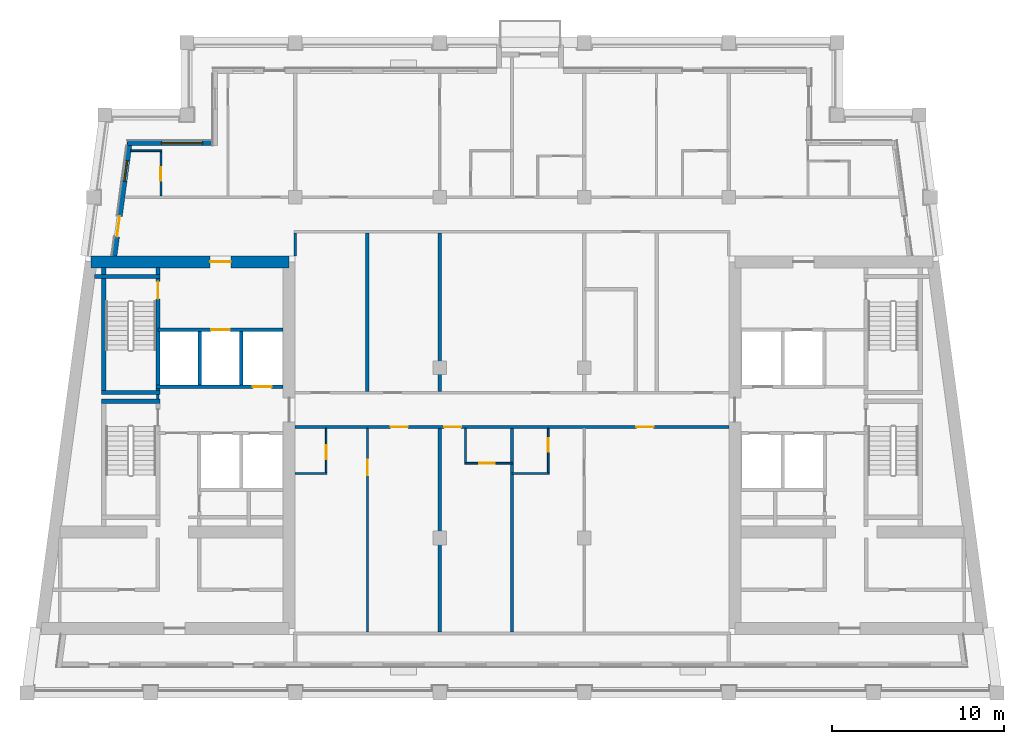
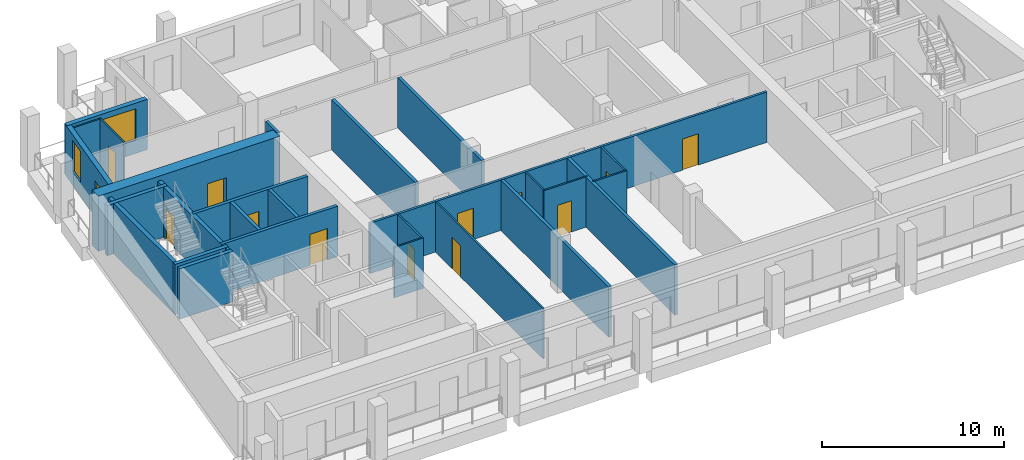
# One storey, part 3 of 13: 28 walls, 13 doors, 2 windows, 15 openings.
"""IFC4 building model written with IfcOpenShell, lengths in metres."""

from ifc_helpers import new_model, si_unit, direction, frame, frame_2d, origin, place, context, subcontext, project, spatial, rectangle, extrude, material, layer, layer_set, type_object, element, fill, save


model = new_model("IFC4")

# Units and contexts
model_context = context("Model", 3, precision=1e-05, world=origin(), true_north=direction((0.0, 1.0)))
body_context = subcontext(model_context, "Body", "Model", "MODEL_VIEW")
ifc_project = project(units=[si_unit("LENGTHUNIT", "METRE"), si_unit("AREAUNIT", "SQUARE_METRE"), si_unit("VOLUMEUNIT", "CUBIC_METRE"), si_unit("PLANEANGLEUNIT", "RADIAN"), si_unit("MASSUNIT", "GRAM", prefix="KILO")], contexts=[model_context])

# Site, building, storey
site_placement = place(None, origin())
site = spatial("IfcSite", under=ifc_project, at=site_placement, CompositionType="ELEMENT")
building_placement = place(site_placement, origin())
building = spatial("IfcBuilding", under=site, at=building_placement, Name="Candeia Pilgrim Tower and Theatre", CompositionType="ELEMENT")
storey_placement = place(building_placement, frame((0.0, 0.0, 262.699951171875)))
storey = spatial("IfcBuildingStorey", under=building, at=storey_placement, Name="L63", CompositionType="ELEMENT", Elevation=262.699951171875)

# Wall, opening, door
ifc_material_1 = material(Name="Concrete C40/50", Category="concrete")
ifc_layer_1 = layer(ifc_material_1, 0.699951171875)
ifc_layer_set_1 = layer_set([ifc_layer_1], Name="Core wall 700 C40/50")
wall_type_1 = type_object("IfcWallType", Name="Core wall 700 C40/50", PredefinedType="SHEAR", material=ifc_layer_set_1)
wall_1_placement = place(storey_placement, frame((88.936767578125, 132.050048828125, 0.0), z_axis=(0.0, 0.0, 1.0), x_axis=(1.0, 0.0, 0.0)))
wall_1 = element("IfcWall", 1, at=wall_1_placement, inside=storey, type_object=wall_type_1, Name="Core wall W1", PredefinedType="SHEAR", context=body_context, shape_type="SweptSolid", body=[
    extrude(rectangle(XDim=11.51318359375, YDim=0.699951171875, at=frame_2d((5.756591796875, 0.0))), origin(), (0.0, 0.0, 1.0), 3.699951171875),
])
opening_1_placement = place(wall_1_placement, frame((6.9267578125, 0.0, 0.0)))
opening_1 = element("IfcOpeningElement", 2, at=opening_1_placement, cuts=wall_1, Name="Opening L63-D043", PredefinedType="OPENING", context=body_context, shape_type="SweptSolid", body=[
    extrude(rectangle(XDim=1.199951171875, YDim=2.10009765625, at=frame_2d((0.60009765625, 1.050048828125))), frame((0.0, 0.35986328125, 0.0), z_axis=(0.0, -1.0, 0.0), x_axis=(1.0, 0.0, 0.0)), (0.0, 0.0, 1.0), 0.719970703125),
])
ifc_material_2 = material(Name="Steel fire door set", Category="steel")
door_type_1 = type_object("IfcDoorType", Name="D-1200-FD60", OperationType="NOTDEFINED", PredefinedType="DOOR", material=ifc_material_2)
door_1_placement = place(opening_1_placement, origin())
door_1 = element("IfcDoor", 3, at=door_1_placement, inside=storey, type_object=door_type_1, Name="Door L63-D043", OperationType="SINGLE_SWING_RIGHT", OverallHeight=2.10009765625, OverallWidth=1.199951171875, PredefinedType="DOOR", context=body_context, shape_type="SweptSolid", body=[
    extrude(rectangle(XDim=1.199951171875, YDim=2.10009765625, at=frame_2d((0.60009765625, 1.050048828125))), frame((0.0, 0.02490234375, 0.0), z_axis=(0.0, -1.0, 0.0), x_axis=(1.0, 0.0, 0.0)), (0.0, 0.0, 1.0), 0.050048828125),
])
fill(opening_1, door_1)

# Wall, openings, door, window
ifc_material_3 = material(Name="Ceramic block masonry", Category="masonry")
ifc_layer_2 = layer(ifc_material_3, 0.300048828125)
ifc_layer_set_2 = layer_set([ifc_layer_2], Name="EW1 glazing-line wall 300")
wall_type_2 = type_object("IfcWallType", Name="EW1 glazing-line wall 300", PredefinedType="SOLIDWALL", material=ifc_layer_set_2)
wall_2_placement = place(storey_placement, frame((91.177490234375, 138.949951171875, 0.0), z_axis=(0.0, 0.0, 1.0), x_axis=(-0.133426664613, -0.991058689065, 0.0)))
wall_2 = element("IfcWall", 4, at=wall_2_placement, inside=storey, type_object=wall_type_2, Name="External wall L63-0.0", PredefinedType="SOLIDWALL", context=body_context, shape_type="SweptSolid", body=[
    extrude(rectangle(XDim=6.609130859375, YDim=0.300048828125, at=frame_2d((3.3046875, 0.0))), origin(), (0.0, 0.0, 1.0), 3.380126953125),
])
opening_2_placement = place(wall_2_placement, frame((1.039306640625, 0.0, 0.89990234375)))
opening_2 = element("IfcOpeningElement", 5, at=opening_2_placement, cuts=wall_2, Name="Opening W-B", PredefinedType="OPENING", context=body_context, shape_type="SweptSolid", body=[
    extrude(rectangle(XDim=1.199951171875, YDim=2.10009765625, at=frame_2d((0.60009765625, 1.050048828125))), frame((0.0, 0.16015625, 0.0), z_axis=(0.0, -1.0, 0.0), x_axis=(1.0, 0.0, 0.0)), (0.0, 0.0, 1.0), 0.320068359375),
])
opening_3_placement = place(wall_2_placement, frame((4.293701171875, 0.0, 0.0)))
opening_3 = element("IfcOpeningElement", 6, at=opening_3_placement, cuts=wall_2, Name="Opening L63-ED596", PredefinedType="OPENING", context=body_context, shape_type="SweptSolid", body=[
    extrude(rectangle(XDim=1.199951171875, YDim=2.39990234375, at=frame_2d((0.60009765625, 1.199951171875))), frame((0.0, 0.16015625, 0.0), z_axis=(0.0, -1.0, 0.0), x_axis=(1.0, 0.0, 0.0)), (0.0, 0.0, 1.0), 0.320068359375),
])
ifc_material_4 = material(Name="Aluminium framed glazed door", Category="aluminium")
door_type_2 = type_object("IfcDoorType", Name="Loggia door 1200x2400", OperationType="DOUBLE_DOOR_SINGLE_SWING", PredefinedType="DOOR", material=ifc_material_4)
door_2_placement = place(opening_3_placement, origin())
door_2 = element("IfcDoor", 7, at=door_2_placement, inside=storey, type_object=door_type_2, Name="Loggia door L63-ED596", OperationType="DOUBLE_DOOR_SINGLE_SWING", OverallHeight=2.39990234375, OverallWidth=1.199951171875, PredefinedType="DOOR", context=body_context, shape_type="SweptSolid", body=[
    extrude(rectangle(XDim=1.199951171875, YDim=2.39990234375, at=frame_2d((0.60009765625, 1.199951171875))), frame((0.0, 0.02490234375, 0.0), z_axis=(0.0, -1.0, 0.0), x_axis=(1.0, 0.0, 0.0)), (0.0, 0.0, 1.0), 0.050048828125),
])
fill(opening_3, door_2)
ifc_material_5 = material(Name="Aluminium framed double glazing", Category="aluminium")
window_type_1 = type_object("IfcWindowType", Name="W-B window 1200x2100", PartitioningType="SINGLE_PANEL", PredefinedType="WINDOW", material=ifc_material_5)
window_1_placement = place(opening_2_placement, origin())
window_1 = element("IfcWindow", 8, at=window_1_placement, inside=storey, type_object=window_type_1, Name="Window W-B L63", OverallHeight=2.10009765625, OverallWidth=1.199951171875, PartitioningType="SINGLE_PANEL", PredefinedType="WINDOW", context=body_context, shape_type="SweptSolid", body=[
    extrude(rectangle(XDim=1.199951171875, YDim=2.10009765625, at=frame_2d((0.60009765625, 1.050048828125))), frame((0.0, 0.030029296875, 0.0), z_axis=(0.0, -1.0, 0.0), x_axis=(1.0, 0.0, 0.0)), (0.0, 0.0, 1.0), 0.06005859375),
])
fill(opening_2, window_1)

# Wall, opening, window
wall_3_placement = place(storey_placement, frame((96.14990234375, 138.949951171875, 0.0), z_axis=(0.0, 0.0, 1.0), x_axis=(-1.0, 0.0, 0.0)))
wall_3 = element("IfcWall", 9, at=wall_3_placement, inside=storey, type_object=wall_type_2, Name="External wall L63-7.0", PredefinedType="SOLIDWALL", context=body_context, shape_type="SweptSolid", body=[
    extrude(rectangle(XDim=5.103759765625, YDim=0.300048828125, at=frame_2d((2.5517578125, 0.0))), origin(), (0.0, 0.0, 1.0), 3.380126953125),
])
opening_4_placement = place(wall_3_placement, frame((0.72509765625, 0.0, 0.89990234375)))
opening_4 = element("IfcOpeningElement", 10, at=opening_4_placement, cuts=wall_3, Name="Opening W-A", PredefinedType="OPENING", context=body_context, shape_type="SweptSolid", body=[
    extrude(rectangle(XDim=2.39990234375, YDim=2.10009765625, at=frame_2d((1.199951171875, 1.050048828125))), frame((0.0, 0.16015625, 0.0), z_axis=(0.0, -1.0, 0.0), x_axis=(1.0, 0.0, 0.0)), (0.0, 0.0, 1.0), 0.320068359375),
])
window_type_2 = type_object("IfcWindowType", Name="W-A window 2400x2100", PartitioningType="DOUBLE_PANEL_VERTICAL", PredefinedType="WINDOW", material=ifc_material_5)
window_2_placement = place(opening_4_placement, origin())
window_2 = element("IfcWindow", 11, at=window_2_placement, inside=storey, type_object=window_type_2, Name="Window W-A L63", OverallHeight=2.10009765625, OverallWidth=2.39990234375, PartitioningType="SINGLE_PANEL", PredefinedType="WINDOW", context=body_context, shape_type="SweptSolid", body=[
    extrude(rectangle(XDim=2.39990234375, YDim=2.10009765625, at=frame_2d((1.199951171875, 1.050048828125))), frame((0.0, 0.030029296875, 0.0), z_axis=(0.0, -1.0, 0.0), x_axis=(1.0, 0.0, 0.0)), (0.0, 0.0, 1.0), 0.06005859375),
])
fill(opening_4, window_2)

# Walls
ifc_material_6 = material(Name="Gypsum board partition on steel studs", Category="steel")
ifc_layer_3 = layer(ifc_material_6, 0.10009765625)
ifc_layer_set_3 = layer_set([ifc_layer_3], Name="PW-100 room partition")
wall_type_3 = type_object("IfcWallType", Name="PW-100 room partition", PredefinedType="PARTITIONING", material=ifc_layer_set_3)
wall_4_placement = place(storey_placement, frame((100.800048828125, 119.75, 0.0), z_axis=(0.0, 0.0, 1.0), x_axis=(1.0, 0.0, 0.0)))
element("IfcWall", 12, at=wall_4_placement, inside=storey, type_object=wall_type_3, Name="Room partition L63-014", PredefinedType="PARTITIONING", context=body_context, shape_type="SweptSolid", body=[
    extrude(rectangle(XDim=1.849853515625, YDim=0.10009765625, at=frame_2d((0.9248046875, 0.0))), origin(), (0.0, 0.0, 1.0), 3.380126953125),
])
wall_5_placement = place(storey_placement, frame((113.39990234375, 119.75, 0.0), z_axis=(0.0, 0.0, 1.0), x_axis=(1.0, 0.0, 0.0)))
element("IfcWall", 13, at=wall_5_placement, inside=storey, type_object=wall_type_3, Name="Room partition L63-015", PredefinedType="PARTITIONING", context=body_context, shape_type="SweptSolid", body=[
    extrude(rectangle(XDim=2.150146484375, YDim=0.10009765625, at=frame_2d((1.0751953125, 0.0))), origin(), (0.0, 0.0, 1.0), 3.380126953125),
])

# Wall, opening, door
wall_6_placement = place(storey_placement, frame((110.64990234375, 120.35009765625, 0.0), z_axis=(0.0, 0.0, 1.0), x_axis=(1.0, 0.0, 0.0)))
wall_6 = element("IfcWall", 14, at=wall_6_placement, inside=storey, type_object=wall_type_3, Name="Room partition L63-016", PredefinedType="PARTITIONING", context=body_context, shape_type="SweptSolid", body=[
    extrude(rectangle(XDim=2.75, YDim=0.10009765625, at=frame_2d((1.375, 0.0))), origin(), (0.0, 0.0, 1.0), 3.380126953125),
])
opening_5_placement = place(wall_6_placement, frame((0.840087890625, 0.0, 0.0)))
opening_5 = element("IfcOpeningElement", 15, at=opening_5_placement, cuts=wall_6, Name="Opening L63-D017", PredefinedType="OPENING", context=body_context, shape_type="SweptSolid", body=[
    extrude(rectangle(XDim=0.89990234375, YDim=2.10009765625, at=frame_2d((0.449951171875, 1.050048828125))), frame((0.0, 0.06005859375, 0.0), z_axis=(0.0, -1.0, 0.0), x_axis=(1.0, 0.0, 0.0)), (0.0, 0.0, 1.0), 0.1201171875),
])
ifc_material_7 = material(Name="Timber door leaf", Category="wood")
door_type_3 = type_object("IfcDoorType", Name="D-900", OperationType="NOTDEFINED", PredefinedType="DOOR", material=ifc_material_7)
door_3_placement = place(opening_5_placement, origin())
door_3 = element("IfcDoor", 16, at=door_3_placement, inside=storey, type_object=door_type_3, Name="Door L63-D017", OperationType="SINGLE_SWING_RIGHT", OverallHeight=2.10009765625, OverallWidth=0.89990234375, PredefinedType="DOOR", context=body_context, shape_type="SweptSolid", body=[
    extrude(rectangle(XDim=0.89990234375, YDim=2.10009765625, at=frame_2d((0.449951171875, 1.050048828125))), frame((0.0, 0.02490234375, 0.0), z_axis=(0.0, -1.0, 0.0), x_axis=(1.0, 0.0, 0.0)), (0.0, 0.0, 1.0), 0.050048828125),
])
fill(opening_5, door_3)

# Wall
wall_7_placement = place(storey_placement, frame((91.258056640625, 138.5, 0.0), z_axis=(0.0, 0.0, 1.0), x_axis=(1.0, 0.0, 0.0)))
element("IfcWall", 17, at=wall_7_placement, inside=storey, type_object=wall_type_3, Name="Room partition L63-040", PredefinedType="PARTITIONING", context=body_context, shape_type="SweptSolid", body=[
    extrude(rectangle(XDim=1.7919921875, YDim=0.10009765625, at=frame_2d((0.89599609375, 0.0))), origin(), (0.0, 0.0, 1.0), 3.380126953125),
])

# Wall, opening, door
wall_8_placement = place(storey_placement, frame((93.0, 135.875, 0.0), z_axis=(0.0, 0.0, 1.0), x_axis=(0.0, 1.0, 0.0)))
wall_8 = element("IfcWall", 18, at=wall_8_placement, inside=storey, type_object=wall_type_3, Name="Room partition L63-051", PredefinedType="PARTITIONING", context=body_context, shape_type="SweptSolid", body=[
    extrude(rectangle(XDim=2.574951171875, YDim=0.10009765625, at=frame_2d((1.28759765625, 0.0))), origin(), (0.0, 0.0, 1.0), 3.380126953125),
])
opening_6_placement = place(wall_8_placement, frame((0.875, 0.0, 0.0)))
opening_6 = element("IfcOpeningElement", 19, at=opening_6_placement, cuts=wall_8, Name="Opening L63-D023", PredefinedType="OPENING", context=body_context, shape_type="SweptSolid", body=[
    extrude(rectangle(XDim=0.800048828125, YDim=2.10009765625, at=frame_2d((0.39990234375, 1.050048828125))), frame((0.0, 0.06005859375, 0.0), z_axis=(0.0, -1.0, 0.0), x_axis=(1.0, 0.0, 0.0)), (0.0, 0.0, 1.0), 0.1201171875),
])
door_type_4 = type_object("IfcDoorType", Name="D-800", OperationType="NOTDEFINED", PredefinedType="DOOR", material=ifc_material_7)
door_4_placement = place(opening_6_placement, origin())
door_4 = element("IfcDoor", 20, at=door_4_placement, inside=storey, type_object=door_type_4, Name="Door L63-D023", OperationType="SINGLE_SWING_RIGHT", OverallHeight=2.10009765625, OverallWidth=0.800048828125, PredefinedType="DOOR", context=body_context, shape_type="SweptSolid", body=[
    extrude(rectangle(XDim=0.800048828125, YDim=2.10009765625, at=frame_2d((0.39990234375, 1.050048828125))), frame((0.0, 0.02490234375, 0.0), z_axis=(0.0, -1.0, 0.0), x_axis=(1.0, 0.0, 0.0)), (0.0, 0.0, 1.0), 0.050048828125),
])
fill(opening_6, door_4)

wall_9_placement = place(storey_placement, frame((102.60009765625, 119.800048828125, 0.0), z_axis=(0.0, 0.0, 1.0), x_axis=(0.0, 1.0, 0.0)))
wall_9 = element("IfcWall", 21, at=wall_9_placement, inside=storey, type_object=wall_type_3, Name="Room partition L63-062", PredefinedType="PARTITIONING", context=body_context, shape_type="SweptSolid", body=[
    extrude(rectangle(XDim=2.574951171875, YDim=0.10009765625, at=frame_2d((1.28759765625, 0.0))), origin(), (0.0, 0.0, 1.0), 3.380126953125),
])
opening_7_placement = place(wall_9_placement, frame((0.780029296875, 0.0, 0.0)))
opening_7 = element("IfcOpeningElement", 22, at=opening_7_placement, cuts=wall_9, Name="Opening L63-D015", PredefinedType="OPENING", context=body_context, shape_type="SweptSolid", body=[
    extrude(rectangle(XDim=0.800048828125, YDim=2.10009765625, at=frame_2d((0.39990234375, 1.050048828125))), frame((0.0, 0.06005859375, 0.0), z_axis=(0.0, -1.0, 0.0), x_axis=(1.0, 0.0, 0.0)), (0.0, 0.0, 1.0), 0.1201171875),
])
door_5_placement = place(opening_7_placement, origin())
door_5 = element("IfcDoor", 23, at=door_5_placement, inside=storey, type_object=door_type_4, Name="Door L63-D015", OperationType="SINGLE_SWING_RIGHT", OverallHeight=2.10009765625, OverallWidth=0.800048828125, PredefinedType="DOOR", context=body_context, shape_type="SweptSolid", body=[
    extrude(rectangle(XDim=0.800048828125, YDim=2.10009765625, at=frame_2d((0.39990234375, 1.050048828125))), frame((0.0, 0.02490234375, 0.0), z_axis=(0.0, -1.0, 0.0), x_axis=(1.0, 0.0, 0.0)), (0.0, 0.0, 1.0), 0.050048828125),
])
fill(opening_7, door_5)

wall_10_placement = place(storey_placement, frame((105.0, 110.550048828125, 0.0), z_axis=(0.0, 0.0, 1.0), x_axis=(0.0, 1.0, 0.0)))
wall_10 = element("IfcWall", 24, at=wall_10_placement, inside=storey, type_object=wall_type_3, Name="Room partition L63-063", PredefinedType="PARTITIONING", context=body_context, shape_type="SweptSolid", body=[
    extrude(rectangle(XDim=11.824951171875, YDim=0.10009765625, at=frame_2d((5.91259765625, 0.0))), origin(), (0.0, 0.0, 1.0), 3.380126953125),
])
opening_8_placement = place(wall_10_placement, frame((9.090087890625, 0.0, 0.0)))
opening_8 = element("IfcOpeningElement", 25, at=opening_8_placement, cuts=wall_10, Name="Opening L63-D014", PredefinedType="OPENING", context=body_context, shape_type="SweptSolid", body=[
    extrude(rectangle(XDim=0.89990234375, YDim=2.10009765625, at=frame_2d((0.449951171875, 1.050048828125))), frame((0.0, 0.06005859375, 0.0), z_axis=(0.0, -1.0, 0.0), x_axis=(1.0, 0.0, 0.0)), (0.0, 0.0, 1.0), 0.1201171875),
])
door_6_placement = place(opening_8_placement, origin())
door_6 = element("IfcDoor", 26, at=door_6_placement, inside=storey, type_object=door_type_3, Name="Door L63-D014", OperationType="SINGLE_SWING_LEFT", OverallHeight=2.10009765625, OverallWidth=0.89990234375, PredefinedType="DOOR", context=body_context, shape_type="SweptSolid", body=[
    extrude(rectangle(XDim=0.89990234375, YDim=2.10009765625, at=frame_2d((0.449951171875, 1.050048828125))), frame((0.0, 0.02490234375, 0.0), z_axis=(0.0, -1.0, 0.0), x_axis=(1.0, 0.0, 0.0)), (0.0, 0.0, 1.0), 0.050048828125),
])
fill(opening_8, door_6)

# Wall
wall_11_placement = place(storey_placement, frame((110.699951171875, 120.39990234375, 0.0), z_axis=(0.0, 0.0, 1.0), x_axis=(0.0, 1.0, 0.0)))
element("IfcWall", 27, at=wall_11_placement, inside=storey, type_object=wall_type_3, Name="Room partition L63-068", PredefinedType="PARTITIONING", context=body_context, shape_type="SweptSolid", body=[
    extrude(rectangle(XDim=1.97509765625, YDim=0.10009765625, at=frame_2d((0.987548828125, 0.0))), origin(), (0.0, 0.0, 1.0), 3.380126953125),
])

# Wall, opening, door
wall_12_placement = place(storey_placement, frame((115.5, 119.800048828125, 0.0), z_axis=(0.0, 0.0, 1.0), x_axis=(0.0, 1.0, 0.0)))
wall_12 = element("IfcWall", 28, at=wall_12_placement, inside=storey, type_object=wall_type_3, Name="Room partition L63-073", PredefinedType="PARTITIONING", context=body_context, shape_type="SweptSolid", body=[
    extrude(rectangle(XDim=2.574951171875, YDim=0.10009765625, at=frame_2d((1.28759765625, 0.0))), origin(), (0.0, 0.0, 1.0), 3.380126953125),
])
opening_9_placement = place(wall_12_placement, frame((1.199951171875, 0.0, 0.0)))
opening_9 = element("IfcOpeningElement", 29, at=opening_9_placement, cuts=wall_12, Name="Opening L63-D020", PredefinedType="OPENING", context=body_context, shape_type="SweptSolid", body=[
    extrude(rectangle(XDim=0.800048828125, YDim=2.10009765625, at=frame_2d((0.39990234375, 1.050048828125))), frame((0.0, 0.06005859375, 0.0), z_axis=(0.0, -1.0, 0.0), x_axis=(1.0, 0.0, 0.0)), (0.0, 0.0, 1.0), 0.1201171875),
])
door_7_placement = place(opening_9_placement, origin())
door_7 = element("IfcDoor", 30, at=door_7_placement, inside=storey, type_object=door_type_4, Name="Door L63-D020", OperationType="SINGLE_SWING_LEFT", OverallHeight=2.10009765625, OverallWidth=0.800048828125, PredefinedType="DOOR", context=body_context, shape_type="SweptSolid", body=[
    extrude(rectangle(XDim=0.800048828125, YDim=2.10009765625, at=frame_2d((0.39990234375, 1.050048828125))), frame((0.0, 0.02490234375, 0.0), z_axis=(0.0, -1.0, 0.0), x_axis=(1.0, 0.0, 0.0)), (0.0, 0.0, 1.0), 0.050048828125),
])
fill(opening_9, door_7)

# Wall
ifc_layer_4 = layer(ifc_material_6, 0.14990234375)
ifc_layer_set_4 = layer_set([ifc_layer_4], Name="PW-150 lobby wall")
wall_type_4 = type_object("IfcWallType", Name="PW-150 lobby wall", PredefinedType="PARTITIONING", material=ifc_layer_set_4)
wall_13_placement = place(storey_placement, frame((92.826904296875, 124.074951171875, 0.0), z_axis=(0.0, 0.0, 1.0), x_axis=(0.0, 1.0, 0.0)))
element("IfcWall", 31, at=wall_13_placement, inside=storey, type_object=wall_type_4, Name="Lobby wall L63-048", PredefinedType="PARTITIONING", context=body_context, shape_type="SweptSolid", body=[
    extrude(rectangle(XDim=0.25, YDim=0.14990234375, at=frame_2d((0.125, 0.0))), origin(), (0.0, 0.0, 1.0), 3.380126953125),
])

# Wall, openings, doors
ifc_layer_5 = layer(ifc_material_6, 0.14990234375)
ifc_layer_set_5 = layer_set([ifc_layer_5], Name="PW-150 unit wall")
wall_type_5 = type_object("IfcWallType", Name="PW-150 unit wall", PredefinedType="PARTITIONING", material=ifc_layer_set_5)
wall_14_placement = place(storey_placement, frame((100.800048828125, 122.449951171875, 0.0), z_axis=(0.0, 0.0, 1.0), x_axis=(1.0, 0.0, 0.0)))
wall_14 = element("IfcWall", 32, at=wall_14_placement, inside=storey, type_object=wall_type_5, Name="Unit wall L63-021", PredefinedType="PARTITIONING", context=body_context, shape_type="SweptSolid", body=[
    extrude(rectangle(XDim=25.199951171875, YDim=0.14990234375, at=frame_2d((12.60009765625, 0.0))), origin(), (0.0, 0.0, 1.0), 3.380126953125),
])
opening_10_placement = place(wall_14_placement, frame((5.550048828125, 0.0, 0.0)))
opening_10 = element("IfcOpeningElement", 33, at=opening_10_placement, cuts=wall_14, Name="Opening L63-D013", PredefinedType="OPENING", context=body_context, shape_type="SweptSolid", body=[
    extrude(rectangle(XDim=1.0, YDim=2.10009765625, at=frame_2d((0.5, 1.050048828125))), frame((0.0, 0.0849609375, 0.0), z_axis=(0.0, -1.0, 0.0), x_axis=(1.0, 0.0, 0.0)), (0.0, 0.0, 1.0), 0.169921875),
])
opening_11_placement = place(wall_14_placement, frame((8.64990234375, 0.0, 0.0)))
opening_11 = element("IfcOpeningElement", 34, at=opening_11_placement, cuts=wall_14, Name="Opening L63-D016", PredefinedType="OPENING", context=body_context, shape_type="SweptSolid", body=[
    extrude(rectangle(XDim=1.0, YDim=2.10009765625, at=frame_2d((0.5, 1.050048828125))), frame((0.0, 0.0849609375, 0.0), z_axis=(0.0, -1.0, 0.0), x_axis=(1.0, 0.0, 0.0)), (0.0, 0.0, 1.0), 0.169921875),
])
opening_12_placement = place(wall_14_placement, frame((19.830078125, 0.0, 0.0)))
opening_12 = element("IfcOpeningElement", 35, at=opening_12_placement, cuts=wall_14, Name="Opening L63-D018", PredefinedType="OPENING", context=body_context, shape_type="SweptSolid", body=[
    extrude(rectangle(XDim=1.0, YDim=2.10009765625, at=frame_2d((0.5, 1.050048828125))), frame((0.0, 0.0849609375, 0.0), z_axis=(0.0, -1.0, 0.0), x_axis=(1.0, 0.0, 0.0)), (0.0, 0.0, 1.0), 0.169921875),
])
door_type_5 = type_object("IfcDoorType", Name="D-1000-FD30S", OperationType="NOTDEFINED", PredefinedType="DOOR", material=ifc_material_2)
door_8_placement = place(opening_10_placement, origin())
door_8 = element("IfcDoor", 36, at=door_8_placement, inside=storey, type_object=door_type_5, Name="Door L63-D013", OperationType="SINGLE_SWING_RIGHT", OverallHeight=2.10009765625, OverallWidth=1.0, PredefinedType="DOOR", context=body_context, shape_type="SweptSolid", body=[
    extrude(rectangle(XDim=1.0, YDim=2.10009765625, at=frame_2d((0.5, 1.050048828125))), frame((0.0, 0.02490234375, 0.0), z_axis=(0.0, -1.0, 0.0), x_axis=(1.0, 0.0, 0.0)), (0.0, 0.0, 1.0), 0.050048828125),
])
fill(opening_10, door_8)
door_9_placement = place(opening_11_placement, origin())
door_9 = element("IfcDoor", 37, at=door_9_placement, inside=storey, type_object=door_type_5, Name="Door L63-D016", OperationType="SINGLE_SWING_LEFT", OverallHeight=2.10009765625, OverallWidth=1.0, PredefinedType="DOOR", context=body_context, shape_type="SweptSolid", body=[
    extrude(rectangle(XDim=1.0, YDim=2.10009765625, at=frame_2d((0.5, 1.050048828125))), frame((0.0, 0.02490234375, 0.0), z_axis=(0.0, -1.0, 0.0), x_axis=(1.0, 0.0, 0.0)), (0.0, 0.0, 1.0), 0.050048828125),
])
fill(opening_11, door_9)
door_10_placement = place(opening_12_placement, origin())
door_10 = element("IfcDoor", 38, at=door_10_placement, inside=storey, type_object=door_type_5, Name="Door L63-D018", OperationType="SINGLE_SWING_LEFT", OverallHeight=2.10009765625, OverallWidth=1.0, PredefinedType="DOOR", context=body_context, shape_type="SweptSolid", body=[
    extrude(rectangle(XDim=1.0, YDim=2.10009765625, at=frame_2d((0.5, 1.050048828125))), frame((0.0, 0.02490234375, 0.0), z_axis=(0.0, -1.0, 0.0), x_axis=(1.0, 0.0, 0.0)), (0.0, 0.0, 1.0), 0.050048828125),
])
fill(opening_12, door_10)

# Walls
wall_15_placement = place(storey_placement, frame((100.800048828125, 132.39990234375, 0.0), z_axis=(0.0, 0.0, 1.0), x_axis=(0.0, 1.0, 0.0)))
element("IfcWall", 39, at=wall_15_placement, inside=storey, type_object=wall_type_5, Name="Unit wall L63-061", PredefinedType="PARTITIONING", context=body_context, shape_type="SweptSolid", body=[
    extrude(rectangle(XDim=1.3251953125, YDim=0.14990234375, at=frame_2d((0.66259765625, 0.0))), origin(), (0.0, 0.0, 1.0), 3.380126953125),
])
ifc_layer_6 = layer(ifc_material_6, 0.199951171875)
ifc_layer_set_6 = layer_set([ifc_layer_6], Name="PW-200 party wall")
wall_type_6 = type_object("IfcWallType", Name="PW-200 party wall", PredefinedType="PARTITIONING", material=ifc_layer_set_6)
wall_16_placement = place(storey_placement, frame((105.0, 124.52490234375, 0.0), z_axis=(0.0, 0.0, 1.0), x_axis=(0.0, 1.0, 0.0)))
element("IfcWall", 40, at=wall_16_placement, inside=storey, type_object=wall_type_6, Name="Party wall L63-064", PredefinedType="PARTITIONING", context=body_context, shape_type="SweptSolid", body=[
    extrude(rectangle(XDim=9.2001953125, YDim=0.199951171875, at=frame_2d((4.60009765625, 0.0))), origin(), (0.0, 0.0, 1.0), 3.380126953125),
])
wall_17_placement = place(storey_placement, frame((109.199951171875, 110.550048828125, 0.0), z_axis=(0.0, 0.0, 1.0), x_axis=(0.0, 1.0, 0.0)))
element("IfcWall", 41, at=wall_17_placement, inside=storey, type_object=wall_type_6, Name="Party wall L63-066", PredefinedType="PARTITIONING", context=body_context, shape_type="SweptSolid", body=[
    extrude(rectangle(XDim=11.824951171875, YDim=0.199951171875, at=frame_2d((5.91259765625, 0.0))), origin(), (0.0, 0.0, 1.0), 3.380126953125),
])
wall_18_placement = place(storey_placement, frame((109.199951171875, 124.52490234375, 0.0), z_axis=(0.0, 0.0, 1.0), x_axis=(0.0, 1.0, 0.0)))
element("IfcWall", 42, at=wall_18_placement, inside=storey, type_object=wall_type_6, Name="Party wall L63-067", PredefinedType="PARTITIONING", context=body_context, shape_type="SweptSolid", body=[
    extrude(rectangle(XDim=9.2001953125, YDim=0.199951171875, at=frame_2d((4.60009765625, 0.0))), origin(), (0.0, 0.0, 1.0), 3.380126953125),
])
wall_19_placement = place(storey_placement, frame((113.39990234375, 110.550048828125, 0.0), z_axis=(0.0, 0.0, 1.0), x_axis=(0.0, 1.0, 0.0)))
element("IfcWall", 43, at=wall_19_placement, inside=storey, type_object=wall_type_6, Name="Party wall L63-070", PredefinedType="PARTITIONING", context=body_context, shape_type="SweptSolid", body=[
    extrude(rectangle(XDim=11.824951171875, YDim=0.199951171875, at=frame_2d((5.91259765625, 0.0))), origin(), (0.0, 0.0, 1.0), 3.380126953125),
])

# Wall, opening, door
ifc_layer_7 = layer(ifc_material_1, 0.199951171875)
ifc_layer_set_7 = layer_set([ifc_layer_7], Name="SW-200 shaft wall")
wall_type_7 = type_object("IfcWallType", Name="SW-200 shaft wall", PredefinedType="PARTITIONING", material=ifc_layer_set_7)
wall_20_placement = place(storey_placement, frame((92.701904296875, 124.800048828125, 0.0), z_axis=(0.0, 0.0, 1.0), x_axis=(1.0, 0.0, 0.0)))
wall_20 = element("IfcWall", 44, at=wall_20_placement, inside=storey, type_object=wall_type_7, Name="Shaft wall L63-027", PredefinedType="PARTITIONING", context=body_context, shape_type="SweptSolid", body=[
    extrude(rectangle(XDim=7.398193359375, YDim=0.199951171875, at=frame_2d((3.69921875, 0.0))), origin(), (0.0, 0.0, 1.0), 3.380126953125),
])
opening_13_placement = place(wall_20_placement, frame((5.635986328125, 0.0, 0.0)))
opening_13 = element("IfcOpeningElement", 45, at=opening_13_placement, cuts=wall_20, Name="Opening L63-LD04", PredefinedType="OPENING", context=body_context, shape_type="SweptSolid", body=[
    extrude(rectangle(XDim=1.10009765625, YDim=2.10009765625, at=frame_2d((0.550048828125, 1.050048828125))), frame((0.0, 0.10986328125, 0.0), z_axis=(0.0, -1.0, 0.0), x_axis=(1.0, 0.0, 0.0)), (0.0, 0.0, 1.0), 0.219970703125),
])
ifc_material_8 = material(Name="Glazed aluminium landing door", Category="aluminium")
door_type_6 = type_object("IfcDoorType", Name="LD-1100-EI120", OperationType="SLIDING_TO_LEFT", PredefinedType="DOOR", material=ifc_material_8)
door_11_placement = place(opening_13_placement, origin())
door_11 = element("IfcDoor", 46, at=door_11_placement, inside=storey, type_object=door_type_6, Name="Landing door 04 L63", OperationType="SLIDING_TO_LEFT", OverallHeight=2.10009765625, OverallWidth=1.10009765625, PredefinedType="DOOR", context=body_context, shape_type="SweptSolid", body=[
    extrude(rectangle(XDim=1.10009765625, YDim=2.10009765625, at=frame_2d((0.550048828125, 1.050048828125))), frame((0.0, 0.02490234375, 0.0), z_axis=(0.0, -1.0, 0.0), x_axis=(1.0, 0.0, 0.0)), (0.0, 0.0, 1.0), 0.050048828125),
])
fill(opening_13, door_11)

wall_21_placement = place(storey_placement, frame((92.826904296875, 128.10009765625, 0.0), z_axis=(0.0, 0.0, 1.0), x_axis=(1.0, 0.0, 0.0)))
wall_21 = element("IfcWall", 47, at=wall_21_placement, inside=storey, type_object=wall_type_7, Name="Shaft wall L63-030", PredefinedType="PARTITIONING", context=body_context, shape_type="SweptSolid", body=[
    extrude(rectangle(XDim=7.273193359375, YDim=0.199951171875, at=frame_2d((3.63671875, 0.0))), origin(), (0.0, 0.0, 1.0), 3.380126953125),
])
opening_14_placement = place(wall_21_placement, frame((3.0859375, 0.0, 0.0)))
opening_14 = element("IfcOpeningElement", 48, at=opening_14_placement, cuts=wall_21, Name="Opening L63-LD03", PredefinedType="OPENING", context=body_context, shape_type="SweptSolid", body=[
    extrude(rectangle(XDim=1.10009765625, YDim=2.10009765625, at=frame_2d((0.550048828125, 1.050048828125))), frame((0.0, 0.10986328125, 0.0), z_axis=(0.0, -1.0, 0.0), x_axis=(1.0, 0.0, 0.0)), (0.0, 0.0, 1.0), 0.219970703125),
])
door_12_placement = place(opening_14_placement, origin())
door_12 = element("IfcDoor", 49, at=door_12_placement, inside=storey, type_object=door_type_6, Name="Landing door 03 L63", OperationType="SLIDING_TO_LEFT", OverallHeight=2.10009765625, OverallWidth=1.10009765625, PredefinedType="DOOR", context=body_context, shape_type="SweptSolid", body=[
    extrude(rectangle(XDim=1.10009765625, YDim=2.10009765625, at=frame_2d((0.550048828125, 1.050048828125))), frame((0.0, 0.02490234375, 0.0), z_axis=(0.0, -1.0, 0.0), x_axis=(1.0, 0.0, 0.0)), (0.0, 0.0, 1.0), 0.050048828125),
])
fill(opening_14, door_12)

# Walls
for number, where, z_axis, x_axis, name in (
    (50, (95.251220703125, 124.89990234375, 0.0), (0.0, 0.0, 1.0), (0.0, 1.0, 0.0), "Shaft wall L63-054"),
    (51, (97.67578125, 124.89990234375, 0.0), (0.0, 0.0, 1.0), (0.0, 1.0, 0.0), "Shaft wall L63-057"),
):
    element("IfcWall", number, at=place(storey_placement, frame(where, z_axis=z_axis, x_axis=x_axis)), inside=storey, type_object=wall_type_7, Name=name, PredefinedType="PARTITIONING", context=body_context, shape_type="SweptSolid", body=[
        extrude(rectangle(XDim=3.10009765625, YDim=0.199951171875, at=frame_2d((1.550048828125, 0.0))), origin(), (0.0, 0.0, 1.0), 3.380126953125),
    ])
ifc_layer_8 = layer(ifc_material_1, 0.25)
ifc_layer_set_8 = layer_set([ifc_layer_8], Name="SW-250 stair wall")
wall_type_8 = type_object("IfcWallType", Name="SW-250 stair wall", PredefinedType="PARTITIONING", material=ifc_layer_set_8)
for number, where, z_axis, x_axis, name in (
    (52, (89.552001953125, 123.949951171875, 0.0), (0.0, 0.0, 1.0), (1.0, 0.0, 0.0), "Stair wall L63-022"),
    (53, (89.552001953125, 124.449951171875, 0.0), (0.0, 0.0, 1.0), (1.0, 0.0, 0.0), "Stair wall L63-024"),
):
    element("IfcWall", number, at=place(storey_placement, frame(where, z_axis=z_axis, x_axis=x_axis)), inside=storey, type_object=wall_type_8, Name=name, PredefinedType="PARTITIONING", context=body_context, shape_type="SweptSolid", body=[
        extrude(rectangle(XDim=3.39990234375, YDim=0.25, at=frame_2d((1.699951171875, 0.0))), origin(), (0.0, 0.0, 1.0), 3.380126953125),
    ])
wall_22_placement = place(storey_placement, frame((89.1455078125, 131.199951171875, 0.0), z_axis=(0.0, 0.0, 1.0), x_axis=(1.0, 0.0, 0.0)))
element("IfcWall", 54, at=wall_22_placement, inside=storey, type_object=wall_type_8, Name="Stair wall L63-034", PredefinedType="PARTITIONING", context=body_context, shape_type="SweptSolid", body=[
    extrude(rectangle(XDim=3.806396484375, YDim=0.25, at=frame_2d((1.9033203125, 0.0))), origin(), (0.0, 0.0, 1.0), 3.380126953125),
])
wall_23_placement = place(storey_placement, frame((89.677001953125, 124.574951171875, 0.0), z_axis=(0.0, 0.0, 1.0), x_axis=(0.0, 1.0, 0.0)))
element("IfcWall", 55, at=wall_23_placement, inside=storey, type_object=wall_type_8, Name="Stair wall L63-046", PredefinedType="PARTITIONING", context=body_context, shape_type="SweptSolid", body=[
    extrude(rectangle(XDim=7.155029296875, YDim=0.25, at=frame_2d((3.57763671875, 0.0))), origin(), (0.0, 0.0, 1.0), 3.380126953125),
])

# Wall, opening, door
wall_24_placement = place(storey_placement, frame((92.826904296875, 124.574951171875, 0.0), z_axis=(0.0, 0.0, 1.0), x_axis=(0.0, 1.0, 0.0)))
wall_24 = element("IfcWall", 56, at=wall_24_placement, inside=storey, type_object=wall_type_8, Name="Stair wall L63-050", PredefinedType="PARTITIONING", context=body_context, shape_type="SweptSolid", body=[
    extrude(rectangle(XDim=7.155029296875, YDim=0.25, at=frame_2d((3.57763671875, 0.0))), origin(), (0.0, 0.0, 1.0), 3.380126953125),
])
opening_15_placement = place(wall_24_placement, frame((5.324951171875, 0.0, 0.0)))
opening_15 = element("IfcOpeningElement", 57, at=opening_15_placement, cuts=wall_24, Name="Opening L63-D003", PredefinedType="OPENING", context=body_context, shape_type="SweptSolid", body=[
    extrude(rectangle(XDim=1.0, YDim=2.10009765625, at=frame_2d((0.5, 1.050048828125))), frame((0.0, 0.135009765625, 0.0), z_axis=(0.0, -1.0, 0.0), x_axis=(1.0, 0.0, 0.0)), (0.0, 0.0, 1.0), 0.27001953125),
])
door_type_7 = type_object("IfcDoorType", Name="D-1000-FD60", OperationType="NOTDEFINED", PredefinedType="DOOR", material=ifc_material_2)
door_13_placement = place(opening_15_placement, origin())
door_13 = element("IfcDoor", 58, at=door_13_placement, inside=storey, type_object=door_type_7, Name="Door L63-D003", OperationType="SINGLE_SWING_RIGHT", OverallHeight=2.10009765625, OverallWidth=1.0, PredefinedType="DOOR", context=body_context, shape_type="SweptSolid", body=[
    extrude(rectangle(XDim=1.0, YDim=2.10009765625, at=frame_2d((0.5, 1.050048828125))), frame((0.0, 0.02490234375, 0.0), z_axis=(0.0, -1.0, 0.0), x_axis=(1.0, 0.0, 0.0)), (0.0, 0.0, 1.0), 0.050048828125),
])
fill(opening_15, door_13)

save(model, "model.ifc")
